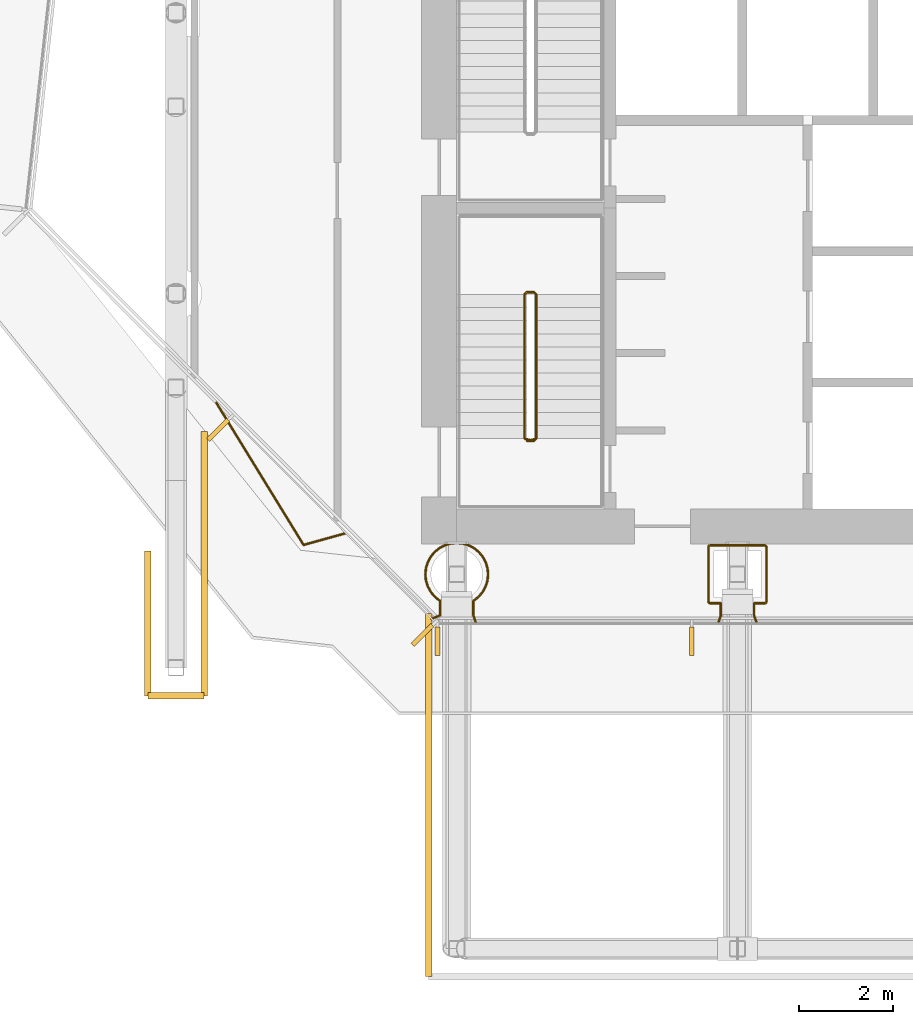
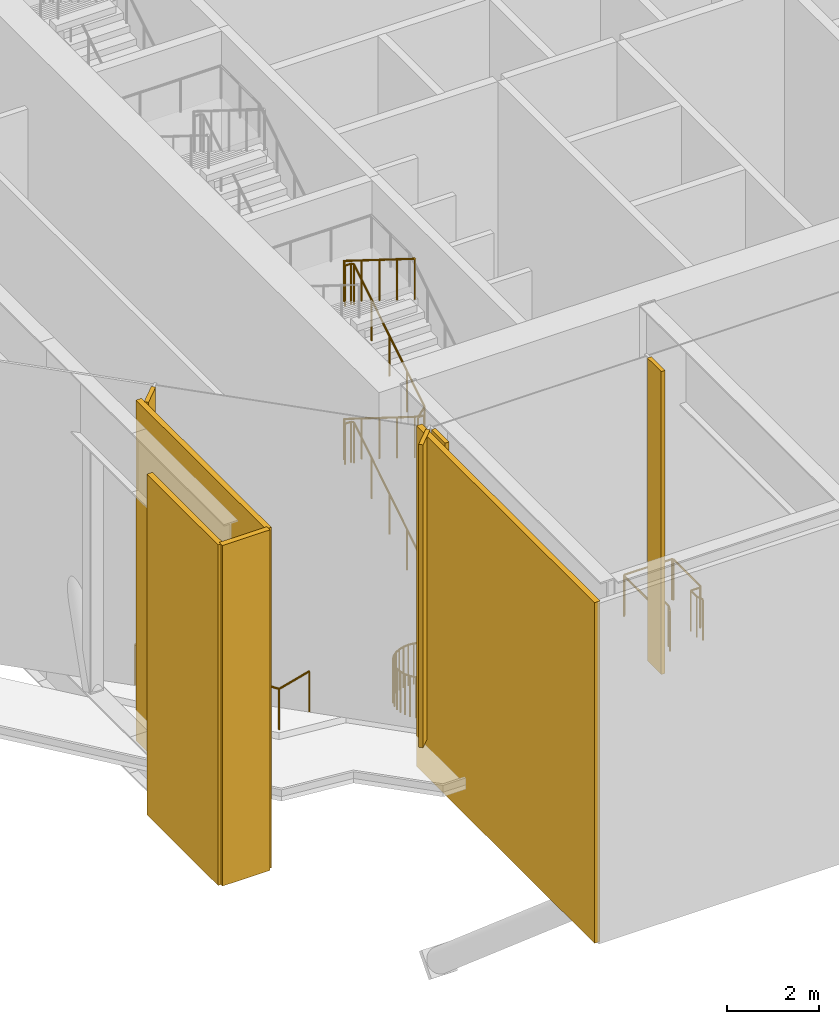
# One storey, part 17 of 24: 8 coverings, 4 railings.
"""IFC4 building model written with IfcOpenShell, lengths in metres."""

from ifc_helpers import new_model, si_unit, direction, frame, origin, origin_2d, place, context, subcontext, project, spatial, polyline, rectangle, circle, outline, extrude, material, layer, layer_set, type_object, element, save


model = new_model("IFC4")

# Units and contexts
model_context = context("Model", 3, precision=1e-05, world=origin(), true_north=direction((0.0, 1.0)))
body_context = subcontext(model_context, "Body", "Model", "MODEL_VIEW")
ifc_project = project(units=[si_unit("LENGTHUNIT", "METRE"), si_unit("AREAUNIT", "SQUARE_METRE"), si_unit("VOLUMEUNIT", "CUBIC_METRE"), si_unit("PLANEANGLEUNIT", "RADIAN"), si_unit("MASSUNIT", "GRAM", prefix="KILO")], contexts=[model_context])

# Site, building, storey
site_placement = place(None, origin())
site = spatial("IfcSite", under=ifc_project, at=site_placement, CompositionType="ELEMENT")
building_placement = place(site_placement, origin())
building = spatial("IfcBuilding", under=site, at=building_placement, Name="Welwitschia Terrace Campus", CompositionType="ELEMENT")
storey_placement = place(building_placement, frame((0.0, 0.0, 138.199951171875)))
storey = spatial("IfcBuildingStorey", under=building, at=storey_placement, Name="L31", CompositionType="ELEMENT", Elevation=138.199951171875)

# Coverings
ifc_material_1 = material(Name="Bronze anodised aluminium", Category="aluminium")
ifc_layer_1 = layer(ifc_material_1, 0.10009765625)
ifc_layer_set_1 = layer_set([ifc_layer_1], Name="Bronze anodised aluminium")
covering_type_1 = type_object("IfcCoveringType", Name="Bronze fin 100x600", PredefinedType="USERDEFINED", material=ifc_layer_set_1)
for number, where, z_axis, x_axis, name in (
    (1, (0.902099609375, 7.087890625, 0.0), (0.0, 0.0, 1.0), (0.705668480018, -0.70854216269, 0.0), "Fin L31.0.1"),
    (2, (5.269287109375, 2.703125, 0.0), (0.0, 0.0, 1.0), (0.705668480018, -0.70854216269, 0.0), "Fin L31.0.2"),
    (3, (5.589599609375, 2.570068359375, 0.0), (0.0, 0.0, 1.0), (1.0, 0.0, 0.0), "Fin L31.1.0"),
    (4, (11.022216796875, 2.570068359375, 0.0), (0.0, 0.0, 1.0), (1.0, 0.0, 0.0), "Fin L31.1.1"),
):
    element("IfcCovering", number, at=place(storey_placement, frame(where, z_axis=z_axis, x_axis=x_axis)), inside=storey, type_object=covering_type_1, Name=name, ObjectType="FIN", PredefinedType="USERDEFINED", context=body_context, shape_type="SweptSolid", body=[
        extrude(rectangle(XDim=0.10009765625, YDim=0.60009765625, at=origin_2d()), origin(), (0.0, 0.0, 1.0), 8.050048828125),
    ])

# Railings
ifc_material_2 = material(Name="Stainless steel grade 316", Category="steel")
railing_type_1 = type_object("IfcRailingType", Name="Guard 1100", PredefinedType="GUARDRAIL", material=ifc_material_2)
railing_1_placement = place(storey_placement, frame((3.636962890625, 4.880615234375, 0.0)))
element("IfcRailing", 5, at=railing_1_placement, inside=storey, type_object=railing_type_1, Name="Guard floor edge L31.0", PredefinedType="GUARDRAIL", context=body_context, shape_type="SweptSolid", body=[
    extrude(circle(Radius=0.02392578125, at=origin_2d()), frame((0.0, 0.0, 1.076171875), z_axis=(-0.963451198442, -0.267883908102, 0.0), x_axis=(0.267883908102, -0.963451198442, 0.0)), (0.0, 0.0, 1.0), 0.944091796875),
    extrude(circle(Radius=0.02392578125, at=origin_2d()), frame((-0.90966796875, -0.2529296875, 1.076171875), z_axis=(-0.523184561992, 0.852219404903, 0.0), x_axis=(-0.852219404903, -0.523184561992, 0.0)), (0.0, 0.0, 1.0), 3.5673828125),
    extrude(circle(Radius=0.02099609375, at=origin_2d()), origin(), (0.0, 0.0, 1.0), 1.052001953125),
    extrude(circle(Radius=0.02099609375, at=origin_2d()), frame((-0.90966796875, -0.2529296875, 0.0)), (0.0, 0.0, 1.0), 1.052001953125),
    extrude(circle(Radius=0.02099609375, at=origin_2d()), frame((-1.53173828125, 0.760498046875, 0.0)), (0.0, 0.0, 1.0), 1.052001953125),
    extrude(circle(Radius=0.02099609375, at=origin_2d()), frame((-2.154052734375, 1.77392578125, 0.0)), (0.0, 0.0, 1.0), 1.052001953125),
    extrude(circle(Radius=0.02099609375, at=origin_2d()), frame((-2.776123046875, 2.787353515625, 0.0)), (0.0, 0.0, 1.0), 1.052001953125),
])
railing_2_placement = place(storey_placement, frame((12.4150390625, 2.949951171875, 0.0)))
element("IfcRailing", 6, at=railing_2_placement, inside=storey, type_object=railing_type_1, Name="Guard floor edge L31.28", PredefinedType="GUARDRAIL", context=body_context, shape_type="SweptSolid", body=[
    extrude(circle(Radius=0.02392578125, at=origin_2d()), frame((0.0, 0.0, 1.076171875), z_axis=(-0.332820117735, 0.942990333583, 0.0), x_axis=(-0.942990333583, -0.332820117735, 0.0)), (0.0, 0.0, 1.0), 0.180419921875),
    extrude(circle(Radius=0.02392578125, at=origin_2d()), frame((-0.06005859375, 0.170166015625, 1.076171875), z_axis=(0.0, 1.0, 0.0), x_axis=(-1.0, 0.0, 0.0)), (0.0, 0.0, 1.0), 0.259765625),
    extrude(circle(Radius=0.02392578125, at=origin_2d()), frame((-0.06005859375, 0.429931640625, 1.076171875), z_axis=(1.0, 0.0, 0.0), x_axis=(0.0, 1.0, 0.0)), (0.0, 0.0, 1.0), 0.2373046875),
    extrude(circle(Radius=0.02392578125, at=origin_2d()), frame((0.17724609375, 0.429931640625, 1.076171875), z_axis=(0.707106781187, 0.707106781187, 0.0), x_axis=(-0.707106781187, 0.707106781187, 0.0)), (0.0, 0.0, 1.0), 0.039306640625),
    extrude(circle(Radius=0.02392578125, at=origin_2d()), frame((0.205078125, 0.457763671875, 1.076171875), z_axis=(0.0, 1.0, 0.0), x_axis=(-1.0, 0.0, 0.0)), (0.0, 0.0, 1.0), 1.1845703125),
    extrude(circle(Radius=0.02392578125, at=origin_2d()), frame((0.205078125, 1.642333984375, 1.076171875), z_axis=(-0.707106781187, 0.707106781187, 0.0), x_axis=(-0.707106781187, -0.707106781187, 0.0)), (0.0, 0.0, 1.0), 0.039306640625),
    extrude(circle(Radius=0.02392578125, at=origin_2d()), frame((0.17724609375, 1.670166015625, 1.076171875), z_axis=(-1.0, 0.0, 0.0), x_axis=(0.0, -1.0, 0.0)), (0.0, 0.0, 1.0), 1.1845703125),
    extrude(circle(Radius=0.02392578125, at=origin_2d()), frame((-1.00732421875, 1.670166015625, 1.076171875), z_axis=(-0.707106781187, -0.707106781187, 0.0), x_axis=(0.707106781187, -0.707106781187, 0.0)), (0.0, 0.0, 1.0), 0.039306640625),
    extrude(circle(Radius=0.02392578125, at=origin_2d()), frame((-1.03515625, 1.642333984375, 1.076171875), z_axis=(0.0, -1.0, 0.0), x_axis=(1.0, 0.0, 0.0)), (0.0, 0.0, 1.0), 1.1845703125),
    extrude(circle(Radius=0.02392578125, at=origin_2d()), frame((-1.03515625, 0.457763671875, 1.076171875), z_axis=(0.707106781187, -0.707106781187, 0.0), x_axis=(0.707106781187, 0.707106781187, 0.0)), (0.0, 0.0, 1.0), 0.039306640625),
    extrude(circle(Radius=0.02392578125, at=origin_2d()), frame((-1.00732421875, 0.429931640625, 1.076171875), z_axis=(1.0, 0.0, 0.0), x_axis=(0.0, 1.0, 0.0)), (0.0, 0.0, 1.0), 0.2373046875),
    extrude(circle(Radius=0.02392578125, at=origin_2d()), frame((-0.77001953125, 0.429931640625, 1.076171875), z_axis=(0.0, -1.0, 0.0), x_axis=(1.0, 0.0, 0.0)), (0.0, 0.0, 1.0), 0.259765625),
    extrude(circle(Radius=0.02392578125, at=origin_2d()), frame((-0.77001953125, 0.170166015625, 1.076171875), z_axis=(-0.332820117735, -0.942990333583, 0.0), x_axis=(0.942990333583, -0.332820117735, 0.0)), (0.0, 0.0, 1.0), 0.180419921875),
    extrude(circle(Radius=0.02099609375, at=origin_2d()), origin(), (0.0, 0.0, 1.0), 1.052001953125),
    extrude(circle(Radius=0.02099609375, at=origin_2d()), frame((-0.06005859375, 0.170166015625, 0.0)), (0.0, 0.0, 1.0), 1.052001953125),
    extrude(circle(Radius=0.02099609375, at=origin_2d()), frame((-0.06005859375, 0.429931640625, 0.0)), (0.0, 0.0, 1.0), 1.052001953125),
    extrude(circle(Radius=0.02099609375, at=origin_2d()), frame((0.17724609375, 0.429931640625, 0.0)), (0.0, 0.0, 1.0), 1.052001953125),
    extrude(circle(Radius=0.02099609375, at=origin_2d()), frame((0.205078125, 0.457763671875, 0.0)), (0.0, 0.0, 1.0), 1.052001953125),
    extrude(circle(Radius=0.02099609375, at=origin_2d()), frame((0.205078125, 1.642333984375, 0.0)), (0.0, 0.0, 1.0), 1.052001953125),
    extrude(circle(Radius=0.02099609375, at=origin_2d()), frame((0.17724609375, 1.670166015625, 0.0)), (0.0, 0.0, 1.0), 1.052001953125),
    extrude(circle(Radius=0.02099609375, at=origin_2d()), frame((-1.00732421875, 1.670166015625, 0.0)), (0.0, 0.0, 1.0), 1.052001953125),
    extrude(circle(Radius=0.02099609375, at=origin_2d()), frame((-1.03515625, 1.642333984375, 0.0)), (0.0, 0.0, 1.0), 1.052001953125),
    extrude(circle(Radius=0.02099609375, at=origin_2d()), frame((-1.03515625, 0.457763671875, 0.0)), (0.0, 0.0, 1.0), 1.052001953125),
    extrude(circle(Radius=0.02099609375, at=origin_2d()), frame((-1.00732421875, 0.429931640625, 0.0)), (0.0, 0.0, 1.0), 1.052001953125),
    extrude(circle(Radius=0.02099609375, at=origin_2d()), frame((-0.77001953125, 0.429931640625, 0.0)), (0.0, 0.0, 1.0), 1.052001953125),
    extrude(circle(Radius=0.02099609375, at=origin_2d()), frame((-0.77001953125, 0.170166015625, 0.0)), (0.0, 0.0, 1.0), 1.052001953125),
    extrude(circle(Radius=0.02099609375, at=origin_2d()), frame((-0.830078125, 0.0, 0.0)), (0.0, 0.0, 1.0), 1.052001953125),
])
railing_3_placement = place(storey_placement, frame((6.4150390625, 2.949951171875, 0.0)))
element("IfcRailing", 7, at=railing_3_placement, inside=storey, type_object=railing_type_1, Name="Guard floor edge L31.29", PredefinedType="GUARDRAIL", context=body_context, shape_type="SweptSolid", body=[
    extrude(circle(Radius=0.02392578125, at=origin_2d()), frame((0.0, 0.0, 1.076171875), z_axis=(-0.332820117735, 0.942990333583, 0.0), x_axis=(-0.942990333583, -0.332820117735, 0.0)), (0.0, 0.0, 1.0), 0.180419921875),
    extrude(circle(Radius=0.02392578125, at=origin_2d()), frame((-0.06005859375, 0.170166015625, 1.076171875), z_axis=(0.0, 1.0, 0.0), x_axis=(-1.0, 0.0, 0.0)), (0.0, 0.0, 1.0), 0.31298828125),
    extrude(circle(Radius=0.02392578125, at=origin_2d()), frame((-0.06005859375, 0.483154296875, 1.076171875), z_axis=(0.884384752847, 0.466758619558, 0.0), x_axis=(-0.466758619558, 0.884384752847, 0.0)), (0.0, 0.0, 1.0), 0.019775390625),
    extrude(circle(Radius=0.02392578125, at=origin_2d()), frame((-0.04248046875, 0.492431640625, 1.076171875), z_axis=(0.772465970518, 0.635056158455, 0.0), x_axis=(-0.635056158455, 0.772465970518, 0.0)), (0.0, 0.0, 1.0), 0.131591796875),
    extrude(circle(Radius=0.02392578125, at=origin_2d()), frame((0.05908203125, 0.575927734375, 1.076171875), z_axis=(0.635056158455, 0.772465970518, 0.0), x_axis=(-0.772465970518, 0.635056158455, 0.0)), (0.0, 0.0, 1.0), 0.131591796875),
    extrude(circle(Radius=0.02392578125, at=origin_2d()), frame((0.142578125, 0.677490234375, 1.076171875), z_axis=(0.470105952313, 0.88260998952, 0.0), x_axis=(-0.88260998952, 0.470105952313, 0.0)), (0.0, 0.0, 1.0), 0.13134765625),
    extrude(circle(Radius=0.02392578125, at=origin_2d()), frame((0.204345703125, 0.79345703125, 1.076171875), z_axis=(0.291605036501, 0.956538813999, 0.0), x_axis=(-0.956538813999, 0.291605036501, 0.0)), (0.0, 0.0, 1.0), 0.13134765625),
    extrude(circle(Radius=0.02392578125, at=origin_2d()), frame((0.24267578125, 0.919189453125, 1.076171875), z_axis=(0.098400716923, 0.995146873034, 0.0), x_axis=(-0.995146873034, 0.098400716923, 0.0)), (0.0, 0.0, 1.0), 0.131591796875),
    extrude(circle(Radius=0.02392578125, at=origin_2d()), frame((0.255615234375, 1.050048828125, 1.076171875), z_axis=(-0.098400716923, 0.995146873034, 0.0), x_axis=(-0.995146873034, -0.098400716923, 0.0)), (0.0, 0.0, 1.0), 0.131591796875),
    extrude(circle(Radius=0.02392578125, at=origin_2d()), frame((0.24267578125, 1.180908203125, 1.076171875), z_axis=(-0.291605036501, 0.956538813999, 0.0), x_axis=(-0.956538813999, -0.291605036501, 0.0)), (0.0, 0.0, 1.0), 0.13134765625),
    extrude(circle(Radius=0.02392578125, at=origin_2d()), frame((0.204345703125, 1.306640625, 1.076171875), z_axis=(-0.470105952313, 0.88260998952, 0.0), x_axis=(-0.88260998952, -0.470105952313, 0.0)), (0.0, 0.0, 1.0), 0.13134765625),
    extrude(circle(Radius=0.02392578125, at=origin_2d()), frame((0.142578125, 1.422607421875, 1.076171875), z_axis=(-0.635056158455, 0.772465970518, 0.0), x_axis=(-0.772465970518, -0.635056158455, 0.0)), (0.0, 0.0, 1.0), 0.131591796875),
    extrude(circle(Radius=0.02392578125, at=origin_2d()), frame((0.05908203125, 1.524169921875, 1.076171875), z_axis=(-0.772465970518, 0.635056158455, 0.0), x_axis=(-0.635056158455, -0.772465970518, 0.0)), (0.0, 0.0, 1.0), 0.131591796875),
    extrude(circle(Radius=0.02392578125, at=origin_2d()), frame((-0.04248046875, 1.607666015625, 1.076171875), z_axis=(-0.88260998952, 0.470105952313, 0.0), x_axis=(-0.470105952313, -0.88260998952, 0.0)), (0.0, 0.0, 1.0), 0.13134765625),
    extrude(circle(Radius=0.02392578125, at=origin_2d()), frame((-0.158447265625, 1.66943359375, 1.076171875), z_axis=(-0.956538813999, 0.291605036501, 0.0), x_axis=(-0.291605036501, -0.956538813999, 0.0)), (0.0, 0.0, 1.0), 0.13134765625),
    extrude(circle(Radius=0.02392578125, at=origin_2d()), frame((-0.2841796875, 1.707763671875, 1.076171875), z_axis=(-0.995146873034, 0.098400716923, 0.0), x_axis=(-0.098400716923, -0.995146873034, 0.0)), (0.0, 0.0, 1.0), 0.131591796875),
    extrude(circle(Radius=0.02392578125, at=origin_2d()), frame((-0.4150390625, 1.720703125, 1.076171875), z_axis=(-0.995146873034, -0.098400716923, 0.0), x_axis=(0.098400716923, -0.995146873034, 0.0)), (0.0, 0.0, 1.0), 0.131591796875),
    extrude(circle(Radius=0.02392578125, at=origin_2d()), frame((-0.5458984375, 1.707763671875, 1.076171875), z_axis=(-0.956538813999, -0.291605036501, 0.0), x_axis=(0.291605036501, -0.956538813999, 0.0)), (0.0, 0.0, 1.0), 0.13134765625),
    extrude(circle(Radius=0.02392578125, at=origin_2d()), frame((-0.671630859375, 1.66943359375, 1.076171875), z_axis=(-0.88260998952, -0.470105952313, 0.0), x_axis=(0.470105952313, -0.88260998952, 0.0)), (0.0, 0.0, 1.0), 0.13134765625),
    extrude(circle(Radius=0.02392578125, at=origin_2d()), frame((-0.78759765625, 1.607666015625, 1.076171875), z_axis=(-0.772465970518, -0.635056158455, 0.0), x_axis=(0.635056158455, -0.772465970518, 0.0)), (0.0, 0.0, 1.0), 0.131591796875),
    extrude(circle(Radius=0.02392578125, at=origin_2d()), frame((-0.88916015625, 1.524169921875, 1.076171875), z_axis=(-0.635056158455, -0.772465970518, 0.0), x_axis=(0.772465970518, -0.635056158455, 0.0)), (0.0, 0.0, 1.0), 0.131591796875),
    extrude(circle(Radius=0.02392578125, at=origin_2d()), frame((-0.97265625, 1.422607421875, 1.076171875), z_axis=(-0.470105952313, -0.88260998952, 0.0), x_axis=(0.88260998952, -0.470105952313, 0.0)), (0.0, 0.0, 1.0), 0.13134765625),
    extrude(circle(Radius=0.02392578125, at=origin_2d()), frame((-1.034423828125, 1.306640625, 1.076171875), z_axis=(-0.291605036501, -0.956538813999, 0.0), x_axis=(0.956538813999, -0.291605036501, 0.0)), (0.0, 0.0, 1.0), 0.13134765625),
    extrude(circle(Radius=0.02392578125, at=origin_2d()), frame((-1.07275390625, 1.180908203125, 1.076171875), z_axis=(-0.098400716923, -0.995146873034, 0.0), x_axis=(0.995146873034, -0.098400716923, 0.0)), (0.0, 0.0, 1.0), 0.131591796875),
    extrude(circle(Radius=0.02392578125, at=origin_2d()), frame((-1.085693359375, 1.050048828125, 1.076171875), z_axis=(0.098400716923, -0.995146873034, 0.0), x_axis=(0.995146873034, 0.098400716923, 0.0)), (0.0, 0.0, 1.0), 0.131591796875),
    extrude(circle(Radius=0.02392578125, at=origin_2d()), frame((-1.07275390625, 0.919189453125, 1.076171875), z_axis=(0.291605036501, -0.956538813999, 0.0), x_axis=(0.956538813999, 0.291605036501, 0.0)), (0.0, 0.0, 1.0), 0.13134765625),
    extrude(circle(Radius=0.02392578125, at=origin_2d()), frame((-1.034423828125, 0.79345703125, 1.076171875), z_axis=(0.470105952313, -0.88260998952, 0.0), x_axis=(0.88260998952, 0.470105952313, 0.0)), (0.0, 0.0, 1.0), 0.13134765625),
    extrude(circle(Radius=0.02392578125, at=origin_2d()), frame((-0.97265625, 0.677490234375, 1.076171875), z_axis=(0.635056158455, -0.772465970518, 0.0), x_axis=(0.772465970518, 0.635056158455, 0.0)), (0.0, 0.0, 1.0), 0.131591796875),
    extrude(circle(Radius=0.02392578125, at=origin_2d()), frame((-0.88916015625, 0.575927734375, 1.076171875), z_axis=(0.772465970518, -0.635056158455, 0.0), x_axis=(0.635056158455, 0.772465970518, 0.0)), (0.0, 0.0, 1.0), 0.131591796875),
    extrude(circle(Radius=0.02392578125, at=origin_2d()), frame((-0.78759765625, 0.492431640625, 1.076171875), z_axis=(0.884384752847, -0.466758619558, 0.0), x_axis=(0.466758619558, 0.884384752847, 0.0)), (0.0, 0.0, 1.0), 0.019775390625),
    extrude(circle(Radius=0.02392578125, at=origin_2d()), frame((-0.77001953125, 0.483154296875, 1.076171875), z_axis=(0.0, -1.0, 0.0), x_axis=(1.0, 0.0, 0.0)), (0.0, 0.0, 1.0), 0.31298828125),
    extrude(circle(Radius=0.02392578125, at=origin_2d()), frame((-0.77001953125, 0.170166015625, 1.076171875), z_axis=(-1.0, 0.0, 0.0), x_axis=(0.0, -1.0, 0.0)), (0.0, 0.0, 1.0), 0.009521484375),
    extrude(circle(Radius=0.02392578125, at=origin_2d()), frame((-0.779541015625, 0.170166015625, 1.076171875), z_axis=(-0.923652404935, -0.383231307252, 0.0), x_axis=(0.383231307252, -0.923652404935, 0.0)), (0.0, 0.0, 1.0), 0.18798828125),
    extrude(circle(Radius=0.02099609375, at=origin_2d()), origin(), (0.0, 0.0, 1.0), 1.052001953125),
    extrude(circle(Radius=0.02099609375, at=origin_2d()), frame((-0.06005859375, 0.170166015625, 0.0)), (0.0, 0.0, 1.0), 1.052001953125),
    extrude(circle(Radius=0.02099609375, at=origin_2d()), frame((-0.06005859375, 0.483154296875, 0.0)), (0.0, 0.0, 1.0), 1.052001953125),
    extrude(circle(Radius=0.02099609375, at=origin_2d()), frame((-0.04248046875, 0.492431640625, 0.0)), (0.0, 0.0, 1.0), 1.052001953125),
    extrude(circle(Radius=0.02099609375, at=origin_2d()), frame((0.05908203125, 0.575927734375, 0.0)), (0.0, 0.0, 1.0), 1.052001953125),
    extrude(circle(Radius=0.02099609375, at=origin_2d()), frame((0.142578125, 0.677490234375, 0.0)), (0.0, 0.0, 1.0), 1.052001953125),
    extrude(circle(Radius=0.02099609375, at=origin_2d()), frame((0.204345703125, 0.79345703125, 0.0)), (0.0, 0.0, 1.0), 1.052001953125),
    extrude(circle(Radius=0.02099609375, at=origin_2d()), frame((0.24267578125, 0.919189453125, 0.0)), (0.0, 0.0, 1.0), 1.052001953125),
    extrude(circle(Radius=0.02099609375, at=origin_2d()), frame((0.255615234375, 1.050048828125, 0.0)), (0.0, 0.0, 1.0), 1.052001953125),
    extrude(circle(Radius=0.02099609375, at=origin_2d()), frame((0.24267578125, 1.180908203125, 0.0)), (0.0, 0.0, 1.0), 1.052001953125),
    extrude(circle(Radius=0.02099609375, at=origin_2d()), frame((0.204345703125, 1.306640625, 0.0)), (0.0, 0.0, 1.0), 1.052001953125),
    extrude(circle(Radius=0.02099609375, at=origin_2d()), frame((0.142578125, 1.422607421875, 0.0)), (0.0, 0.0, 1.0), 1.052001953125),
    extrude(circle(Radius=0.02099609375, at=origin_2d()), frame((0.05908203125, 1.524169921875, 0.0)), (0.0, 0.0, 1.0), 1.052001953125),
    extrude(circle(Radius=0.02099609375, at=origin_2d()), frame((-0.04248046875, 1.607666015625, 0.0)), (0.0, 0.0, 1.0), 1.052001953125),
    extrude(circle(Radius=0.02099609375, at=origin_2d()), frame((-0.158447265625, 1.66943359375, 0.0)), (0.0, 0.0, 1.0), 1.052001953125),
    extrude(circle(Radius=0.02099609375, at=origin_2d()), frame((-0.2841796875, 1.707763671875, 0.0)), (0.0, 0.0, 1.0), 1.052001953125),
    extrude(circle(Radius=0.02099609375, at=origin_2d()), frame((-0.4150390625, 1.720703125, 0.0)), (0.0, 0.0, 1.0), 1.052001953125),
    extrude(circle(Radius=0.02099609375, at=origin_2d()), frame((-0.5458984375, 1.707763671875, 0.0)), (0.0, 0.0, 1.0), 1.052001953125),
    extrude(circle(Radius=0.02099609375, at=origin_2d()), frame((-0.671630859375, 1.66943359375, 0.0)), (0.0, 0.0, 1.0), 1.052001953125),
    extrude(circle(Radius=0.02099609375, at=origin_2d()), frame((-0.78759765625, 1.607666015625, 0.0)), (0.0, 0.0, 1.0), 1.052001953125),
    extrude(circle(Radius=0.02099609375, at=origin_2d()), frame((-0.88916015625, 1.524169921875, 0.0)), (0.0, 0.0, 1.0), 1.052001953125),
    extrude(circle(Radius=0.02099609375, at=origin_2d()), frame((-0.97265625, 1.422607421875, 0.0)), (0.0, 0.0, 1.0), 1.052001953125),
    extrude(circle(Radius=0.02099609375, at=origin_2d()), frame((-1.034423828125, 1.306640625, 0.0)), (0.0, 0.0, 1.0), 1.052001953125),
    extrude(circle(Radius=0.02099609375, at=origin_2d()), frame((-1.07275390625, 1.180908203125, 0.0)), (0.0, 0.0, 1.0), 1.052001953125),
    extrude(circle(Radius=0.02099609375, at=origin_2d()), frame((-1.085693359375, 1.050048828125, 0.0)), (0.0, 0.0, 1.0), 1.052001953125),
    extrude(circle(Radius=0.02099609375, at=origin_2d()), frame((-1.07275390625, 0.919189453125, 0.0)), (0.0, 0.0, 1.0), 1.052001953125),
    extrude(circle(Radius=0.02099609375, at=origin_2d()), frame((-1.034423828125, 0.79345703125, 0.0)), (0.0, 0.0, 1.0), 1.052001953125),
    extrude(circle(Radius=0.02099609375, at=origin_2d()), frame((-0.97265625, 0.677490234375, 0.0)), (0.0, 0.0, 1.0), 1.052001953125),
    extrude(circle(Radius=0.02099609375, at=origin_2d()), frame((-0.88916015625, 0.575927734375, 0.0)), (0.0, 0.0, 1.0), 1.052001953125),
    extrude(circle(Radius=0.02099609375, at=origin_2d()), frame((-0.78759765625, 0.492431640625, 0.0)), (0.0, 0.0, 1.0), 1.052001953125),
    extrude(circle(Radius=0.02099609375, at=origin_2d()), frame((-0.77001953125, 0.483154296875, 0.0)), (0.0, 0.0, 1.0), 1.052001953125),
    extrude(circle(Radius=0.02099609375, at=origin_2d()), frame((-0.77001953125, 0.170166015625, 0.0)), (0.0, 0.0, 1.0), 1.052001953125),
    extrude(circle(Radius=0.02099609375, at=origin_2d()), frame((-0.779541015625, 0.170166015625, 0.0)), (0.0, 0.0, 1.0), 1.052001953125),
    extrude(circle(Radius=0.02099609375, at=origin_2d()), frame((-0.953125, 0.09814453125, 0.0)), (0.0, 0.0, 1.0), 1.052001953125),
])

# Coverings
ifc_material_3 = material(Name="Bronze anodised aluminium", Category="aluminium")
ifc_layer_2 = layer(ifc_material_3, 0.139892578125)
ifc_layer_set_2 = layer_set([ifc_layer_2], Name="Bronze anodised aluminium")
covering_type_2 = type_object("IfcCoveringType", Name="Soffit fascia cladding 140", PredefinedType="CLADDING", material=ifc_layer_set_2)
covering_1_placement = place(storey_placement, frame((0.0, 0.0, -1.0)))
element("IfcCovering", 8, at=covering_1_placement, inside=storey, type_object=covering_type_2, Name="Clad fascia L31.tip fascia St0 end", PredefinedType="CLADDING", context=body_context, shape_type="SweptSolid", body=[
    extrude(outline(polyline([(0.60009765625, 1.469970703125), (-0.60009765625, 1.469970703125), (-0.60009765625, 1.330078125), (0.60009765625, 1.330078125), (0.60009765625, 1.469970703125)])), origin(), (0.0, 0.0, 1.0), 9.050048828125),
])
covering_2_placement = place(storey_placement, frame((0.0, 0.0, -1.0)))
element("IfcCovering", 9, at=covering_2_placement, inside=storey, type_object=covering_type_2, Name="Clad fascia L31.tip fascia St0 w", PredefinedType="CLADDING", context=body_context, shape_type="SweptSolid", body=[
    extrude(outline(polyline([(-0.530029296875, 1.39990234375), (-0.530029296875, 4.5), (-0.669921875, 4.5), (-0.669921875, 1.39990234375), (-0.530029296875, 1.39990234375)])), origin(), (0.0, 0.0, 1.0), 9.050048828125),
])
covering_3_placement = place(storey_placement, frame((0.0, 0.0, -1.0)))
element("IfcCovering", 10, at=covering_3_placement, inside=storey, type_object=covering_type_2, Name="Clad fascia L31.tip fascia St0 e", PredefinedType="CLADDING", context=body_context, shape_type="SweptSolid", body=[
    extrude(outline(polyline([(0.669921875, 1.39990234375), (0.669921875, 7.054443359375), (0.530029296875, 7.054443359375), (0.530029296875, 1.39990234375), (0.669921875, 1.39990234375)])), origin(), (0.0, 0.0, 1.0), 9.050048828125),
])
covering_4_placement = place(storey_placement, frame((0.0, 0.0, -1.0)))
element("IfcCovering", 11, at=covering_4_placement, inside=storey, type_object=covering_type_2, Name="Clad fascia L31.tip fascia St1 w", PredefinedType="CLADDING", context=body_context, shape_type="SweptSolid", body=[
    extrude(outline(polyline([(5.469970703125, -4.60009765625), (5.469970703125, 3.157470703125), (5.330078125, 3.157470703125), (5.330078125, -4.60009765625), (5.469970703125, -4.60009765625)])), origin(), (0.0, 0.0, 1.0), 9.050048828125),
])

# Railing
ifc_material_4 = material(Name="Steel S355", Category="steel")
railing_type_2 = type_object("IfcRailingType", Name="Stair guard 1100", PredefinedType="GUARDRAIL", material=ifc_material_4)
railing_4_placement = place(storey_placement, frame((7.5, 6.85009765625, 0.0)))
element("IfcRailing", 12, at=railing_4_placement, inside=storey, type_object=railing_type_2, Name="L31 S1 stair guard", PredefinedType="GUARDRAIL", context=body_context, shape_type="SweptSolid", body=[
    extrude(circle(Radius=0.02392578125, at=origin_2d()), frame((0.0, 0.0, 1.076171875), z_axis=(1.0, 0.0, 0.0), x_axis=(0.0, 1.0, 0.0)), (0.0, 0.0, 1.0), 0.14990234375),
    extrude(circle(Radius=0.02392578125, at=origin_2d()), frame((0.14990234375, 0.0, 1.076171875), z_axis=(0.265155923931, 0.263862480399, 0.927399011991), x_axis=(-0.705375805398, 0.708833529934, 0.0)), (0.0, 0.0, 1.0), 0.188720703125),
    extrude(circle(Radius=0.02392578125, at=origin_2d()), frame((0.199951171875, 0.0498046875, 1.2509765625), z_axis=(0.0, 0.847998304005, 0.529998940003), x_axis=(-1.0, 0.0, 0.0)), (0.0, 0.0, 1.0), 3.632080078125),
    extrude(circle(Radius=0.02392578125, at=origin_2d()), frame((0.199951171875, 3.1298828125, 3.17626953125), z_axis=(-0.707106781187, 0.707106781187, 0.0), x_axis=(-0.707106781187, -0.707106781187, 0.0)), (0.0, 0.0, 1.0), 0.07080078125),
    extrude(circle(Radius=0.02392578125, at=origin_2d()), frame((0.14990234375, 3.179931640625, 3.17626953125), z_axis=(-1.0, 0.0, 0.0), x_axis=(0.0, -1.0, 0.0)), (0.0, 0.0, 1.0), 0.14990234375),
    extrude(circle(Radius=0.02392578125, at=origin_2d()), frame((0.0, 3.179931640625, 3.17626953125), z_axis=(-0.265065253269, -0.265065253269, 0.927081885822), x_axis=(0.707106781187, -0.707106781187, 0.0)), (0.0, 0.0, 1.0), 0.188720703125),
    extrude(circle(Radius=0.02392578125, at=origin_2d()), frame((-0.050048828125, 3.1298828125, 3.35107421875), z_axis=(0.0, -0.848028513186, 0.529950602248), x_axis=(1.0, 0.0, 0.0)), (0.0, 0.0, 1.0), 3.632080078125),
    extrude(circle(Radius=0.02392578125, at=origin_2d()), frame((-0.050048828125, 0.0498046875, 5.27587890625), z_axis=(0.970351222016, -0.241699205484, 0.0), x_axis=(0.241699205484, 0.970351222016, 0.0)), (0.0, 0.0, 1.0), 0.2060546875),
    extrude(circle(Radius=0.02392578125, at=origin_2d()), frame((0.14990234375, 0.0, 5.27587890625), z_axis=(-1.0, 0.0, 0.0), x_axis=(0.0, -1.0, 0.0)), (0.0, 0.0, 1.0), 0.14990234375),
    extrude(circle(Radius=0.02392578125, at=origin_2d()), frame((0.0, 0.0, 5.27587890625), z_axis=(0.739530593833, 0.18420542264, 0.647427882513), x_axis=(-0.241699205484, 0.970351222016, 0.0)), (0.0, 0.0, 1.0), 0.270263671875),
    extrude(circle(Radius=0.02392578125, at=origin_2d()), frame((0.199951171875, 0.0498046875, 5.451171875), z_axis=(0.0, 0.847998304005, 0.529998940003), x_axis=(-1.0, 0.0, 0.0)), (0.0, 0.0, 1.0), 3.632080078125),
    extrude(circle(Radius=0.02392578125, at=origin_2d()), frame((0.199951171875, 3.1298828125, 7.3759765625), z_axis=(-0.707106781187, 0.707106781187, 0.0), x_axis=(-0.707106781187, -0.707106781187, 0.0)), (0.0, 0.0, 1.0), 0.07080078125),
    extrude(circle(Radius=0.02392578125, at=origin_2d()), frame((0.14990234375, 3.179931640625, 7.3759765625), z_axis=(-1.0, 0.0, 0.0), x_axis=(0.0, -1.0, 0.0)), (0.0, 0.0, 1.0), 0.14990234375),
    extrude(circle(Radius=0.02392578125, at=origin_2d()), frame((0.0, 3.179931640625, 7.3759765625), z_axis=(-0.265065253269, -0.265065253269, 0.927081885822), x_axis=(0.707106781187, -0.707106781187, 0.0)), (0.0, 0.0, 1.0), 0.188720703125),
    extrude(circle(Radius=0.02392578125, at=origin_2d()), frame((-0.050048828125, 3.1298828125, 7.55126953125), z_axis=(0.0, -0.847998304005, 0.529998940003), x_axis=(1.0, 0.0, 0.0)), (0.0, 0.0, 1.0), 3.632080078125),
    extrude(circle(Radius=0.02099609375, at=origin_2d()), origin(), (0.0, 0.0, 1.0), 1.052001953125),
    extrude(circle(Radius=0.02099609375, at=origin_2d()), frame((0.14990234375, 0.0, 0.0)), (0.0, 0.0, 1.0), 1.052001953125),
    extrude(circle(Radius=0.02099609375, at=origin_2d()), frame((0.199951171875, 0.0498046875, 0.175048828125)), (0.0, 0.0, 1.0), 1.052001953125),
    extrude(circle(Radius=0.02099609375, at=origin_2d()), frame((0.199951171875, 0.81982421875, 0.65625)), (0.0, 0.0, 1.0), 1.052001953125),
    extrude(circle(Radius=0.02099609375, at=origin_2d()), frame((0.199951171875, 1.58984375, 1.1376953125)), (0.0, 0.0, 1.0), 1.052001953125),
    extrude(circle(Radius=0.02099609375, at=origin_2d()), frame((0.199951171875, 2.35986328125, 1.618896484375)), (0.0, 0.0, 1.0), 1.052001953125),
    extrude(circle(Radius=0.02099609375, at=origin_2d()), frame((0.199951171875, 3.1298828125, 2.10009765625)), (0.0, 0.0, 1.0), 1.052001953125),
    extrude(circle(Radius=0.02099609375, at=origin_2d()), frame((0.14990234375, 3.179931640625, 2.10009765625)), (0.0, 0.0, 1.0), 1.052001953125),
    extrude(circle(Radius=0.02099609375, at=origin_2d()), frame((0.0, 3.179931640625, 2.10009765625)), (0.0, 0.0, 1.0), 1.052001953125),
    extrude(circle(Radius=0.02099609375, at=origin_2d()), frame((-0.050048828125, 3.1298828125, 2.275146484375)), (0.0, 0.0, 1.0), 1.052001953125),
    extrude(circle(Radius=0.02099609375, at=origin_2d()), frame((-0.050048828125, 2.35986328125, 2.75634765625)), (0.0, 0.0, 1.0), 1.052001953125),
    extrude(circle(Radius=0.02099609375, at=origin_2d()), frame((-0.050048828125, 1.58984375, 3.237548828125)), (0.0, 0.0, 1.0), 1.052001953125),
    extrude(circle(Radius=0.02099609375, at=origin_2d()), frame((-0.050048828125, 0.81982421875, 3.71875)), (0.0, 0.0, 1.0), 1.052001953125),
    extrude(circle(Radius=0.02099609375, at=origin_2d()), frame((-0.050048828125, 0.0498046875, 4.199951171875)), (0.0, 0.0, 1.0), 1.052001953125),
    extrude(circle(Radius=0.02099609375, at=origin_2d()), frame((0.14990234375, 0.0, 4.199951171875)), (0.0, 0.0, 1.0), 1.052001953125),
    extrude(circle(Radius=0.02099609375, at=origin_2d()), frame((0.0, 0.0, 4.199951171875)), (0.0, 0.0, 1.0), 1.052001953125),
    extrude(circle(Radius=0.02099609375, at=origin_2d()), frame((0.199951171875, 0.0498046875, 4.375)), (0.0, 0.0, 1.0), 1.052001953125),
    extrude(circle(Radius=0.02099609375, at=origin_2d()), frame((0.199951171875, 0.81982421875, 4.856201171875)), (0.0, 0.0, 1.0), 1.052001953125),
    extrude(circle(Radius=0.02099609375, at=origin_2d()), frame((0.199951171875, 1.58984375, 5.33740234375)), (0.0, 0.0, 1.0), 1.052001953125),
    extrude(circle(Radius=0.02099609375, at=origin_2d()), frame((0.199951171875, 2.35986328125, 5.81884765625)), (0.0, 0.0, 1.0), 1.052001953125),
    extrude(circle(Radius=0.02099609375, at=origin_2d()), frame((0.199951171875, 3.1298828125, 6.300048828125)), (0.0, 0.0, 1.0), 1.052001953125),
    extrude(circle(Radius=0.02099609375, at=origin_2d()), frame((0.14990234375, 3.179931640625, 6.300048828125)), (0.0, 0.0, 1.0), 1.052001953125),
    extrude(circle(Radius=0.02099609375, at=origin_2d()), frame((0.0, 3.179931640625, 6.300048828125)), (0.0, 0.0, 1.0), 1.052001953125),
    extrude(circle(Radius=0.02099609375, at=origin_2d()), frame((-0.050048828125, 3.1298828125, 6.47509765625)), (0.0, 0.0, 1.0), 1.052001953125),
    extrude(circle(Radius=0.02099609375, at=origin_2d()), frame((-0.050048828125, 2.35986328125, 6.956298828125)), (0.0, 0.0, 1.0), 1.052001953125),
    extrude(circle(Radius=0.02099609375, at=origin_2d()), frame((-0.050048828125, 1.58984375, 7.4375)), (0.0, 0.0, 1.0), 1.052001953125),
    extrude(circle(Radius=0.02099609375, at=origin_2d()), frame((-0.050048828125, 0.81982421875, 7.9189453125)), (0.0, 0.0, 1.0), 1.052001953125),
    extrude(circle(Radius=0.02099609375, at=origin_2d()), frame((-0.050048828125, 0.0498046875, 8.400146484375)), (0.0, 0.0, 1.0), 1.052001953125),
])

save(model, "model.ifc")
